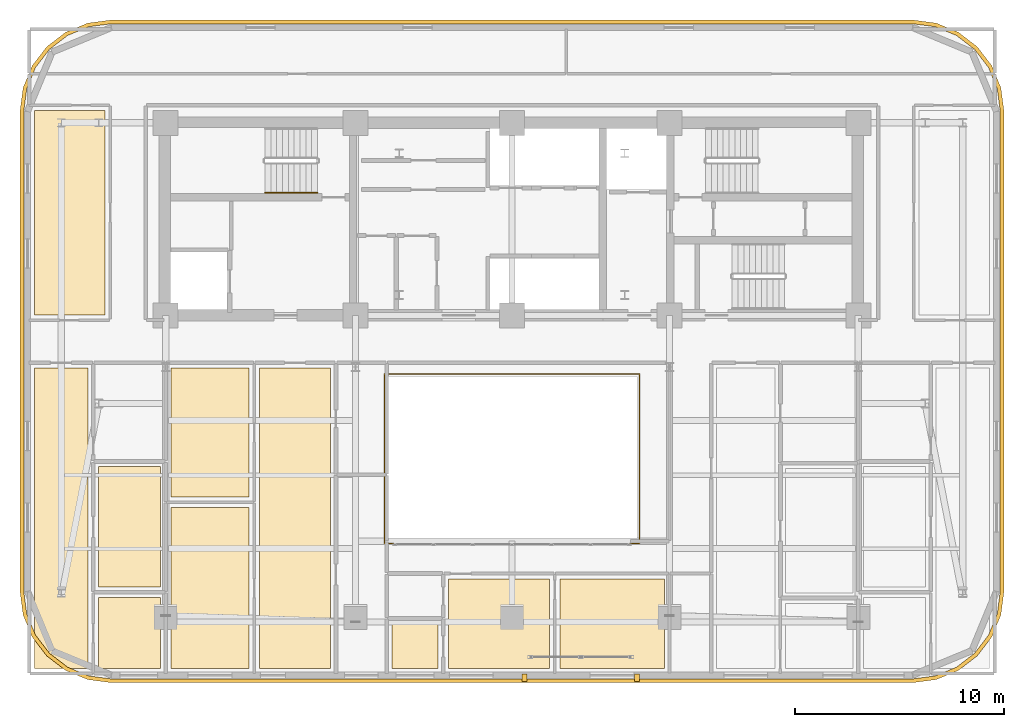
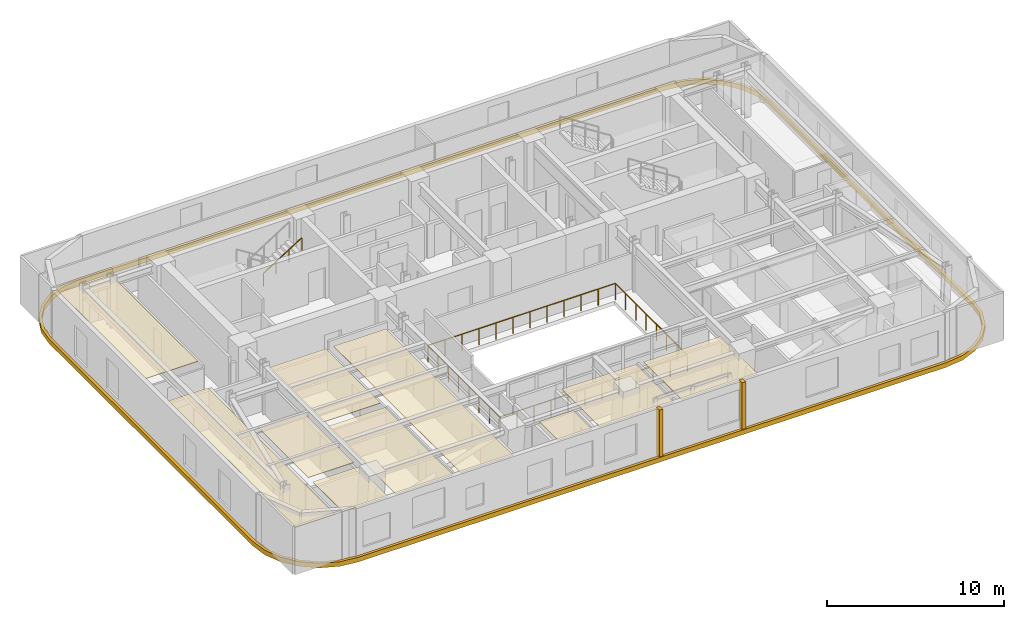
# One storey, part 11 of 13: 13 coverings, 2 railings.
"""IFC4 building model written with IfcOpenShell, lengths in metres."""

from ifc_helpers import new_model, si_unit, direction, frame, origin, origin_2d, place, context, subcontext, project, spatial, polyline, rectangle, outline, extrude, material, layer, layer_set, type_object, element, save


model = new_model("IFC4")

# Units and contexts
model_context = context("Model", 3, precision=1e-05, world=origin(), true_north=direction((0.0, 1.0)))
body_context = subcontext(model_context, "Body", "Model", "MODEL_VIEW")
ifc_project = project(units=[si_unit("LENGTHUNIT", "METRE"), si_unit("AREAUNIT", "SQUARE_METRE"), si_unit("VOLUMEUNIT", "CUBIC_METRE"), si_unit("PLANEANGLEUNIT", "RADIAN"), si_unit("MASSUNIT", "GRAM", prefix="KILO")], contexts=[model_context])

# Site, building, storey
site_placement = place(None, origin())
site = spatial("IfcSite", under=ifc_project, at=site_placement, CompositionType="ELEMENT")
building_placement = place(site_placement, origin())
building = spatial("IfcBuilding", under=site, at=building_placement, Name="Zarnavel Station Tower", CompositionType="ELEMENT")
storey_placement = place(building_placement, frame((0.0, 0.0, 141.25)))
storey = spatial("IfcBuildingStorey", under=building, at=storey_placement, Name="L38", CompositionType="ELEMENT", Elevation=141.25)

# Coverings
ifc_material_1 = material(Name="Perforated Gypsum and Mineral-Wool Acoustic Ceiling", Category="concrete")
ifc_layer = layer(ifc_material_1, 0.0400390625)
ifc_layer_set = layer_set([ifc_layer], Name="COV_CEIL_ACOUSTIC")
covering_type_1 = type_object("IfcCoveringType", Name="COV_CEIL_ACOUSTIC", PredefinedType="CEILING", material=ifc_layer_set)
covering_1_placement = place(storey_placement, frame((0.0, 0.0, 2.969970703125)))
element("IfcCovering", 1, at=covering_1_placement, inside=storey, type_object=covering_type_1, Name="L38 FNW Acoustic Ceiling", PredefinedType="CEILING", context=body_context, shape_type="SweptSolid", body=[
    extrude(outline(polyline([(5.909912109375, 27.85009765625), (9.300048828125, 27.85009765625), (9.300048828125, 37.64990234375), (5.909912109375, 37.64990234375), (5.909912109375, 27.85009765625)])), origin(), (0.0, 0.0, 1.0), 0.0400390625),
])
covering_2_placement = place(storey_placement, frame((0.0, 0.0, 2.969970703125)))
element("IfcCovering", 2, at=covering_2_placement, inside=storey, type_object=covering_type_1, Name="L38 UW1LV Acoustic Ceiling", PredefinedType="CEILING", context=body_context, shape_type="SweptSolid", body=[
    extrude(outline(polyline([(5.909912109375, 10.909912109375), (8.48388671875, 10.909912109375), (8.48388671875, 25.300048828125), (5.909912109375, 25.300048828125), (5.909912109375, 10.909912109375)])), origin(), (0.0, 0.0, 1.0), 0.0400390625),
])
covering_3_placement = place(storey_placement, frame((0.0, 0.0, 2.969970703125)))
element("IfcCovering", 3, at=covering_3_placement, inside=storey, type_object=covering_type_1, Name="L38 UW1B1 Acoustic Ceiling", PredefinedType="CEILING", context=body_context, shape_type="SweptSolid", body=[
    extrude(outline(polyline([(8.98388671875, 10.909912109375), (11.949951171875, 10.909912109375), (11.949951171875, 14.304931640625), (8.98388671875, 14.304931640625), (8.98388671875, 10.909912109375)])), origin(), (0.0, 0.0, 1.0), 0.0400390625),
])
covering_4_placement = place(storey_placement, frame((0.0, 0.0, 2.969970703125)))
element("IfcCovering", 4, at=covering_4_placement, inside=storey, type_object=covering_type_1, Name="L38 UW1KT Acoustic Ceiling", PredefinedType="CEILING", context=body_context, shape_type="SweptSolid", body=[
    extrude(outline(polyline([(8.98388671875, 14.804931640625), (11.949951171875, 14.804931640625), (11.949951171875, 20.572021484375), (8.98388671875, 20.572021484375), (8.98388671875, 14.804931640625)])), origin(), (0.0, 0.0, 1.0), 0.0400390625),
])
covering_5_placement = place(storey_placement, frame((0.0, 0.0, 2.969970703125)))
element("IfcCovering", 5, at=covering_5_placement, inside=storey, type_object=covering_type_1, Name="L38 UW2LV Acoustic Ceiling", PredefinedType="CEILING", context=body_context, shape_type="SweptSolid", body=[
    extrude(outline(polyline([(16.68994140625, 10.909912109375), (20.112060546875, 10.909912109375), (20.112060546875, 25.300048828125), (16.68994140625, 25.300048828125), (16.68994140625, 10.909912109375)])), origin(), (0.0, 0.0, 1.0), 0.0400390625),
])
covering_6_placement = place(storey_placement, frame((0.0, 0.0, 2.969970703125)))
element("IfcCovering", 6, at=covering_6_placement, inside=storey, type_object=covering_type_1, Name="L38 UW2B1 Acoustic Ceiling", PredefinedType="CEILING", context=body_context, shape_type="SweptSolid", body=[
    extrude(outline(polyline([(12.449951171875, 10.909912109375), (16.18994140625, 10.909912109375), (16.18994140625, 18.6201171875), (12.449951171875, 18.6201171875), (12.449951171875, 10.909912109375)])), origin(), (0.0, 0.0, 1.0), 0.0400390625),
])
covering_7_placement = place(storey_placement, frame((0.0, 0.0, 2.969970703125)))
element("IfcCovering", 7, at=covering_7_placement, inside=storey, type_object=covering_type_1, Name="L38 UW2B2 Acoustic Ceiling", PredefinedType="CEILING", context=body_context, shape_type="SweptSolid", body=[
    extrude(outline(polyline([(12.449951171875, 19.1201171875), (16.18994140625, 19.1201171875), (16.18994140625, 25.300048828125), (12.449951171875, 25.300048828125), (12.449951171875, 19.1201171875)])), origin(), (0.0, 0.0, 1.0), 0.0400390625),
])
covering_8_placement = place(storey_placement, frame((0.0, 0.0, 2.969970703125)))
element("IfcCovering", 8, at=covering_8_placement, inside=storey, type_object=covering_type_1, Name="L38 US1LV Acoustic Ceiling", PredefinedType="CEILING", context=body_context, shape_type="SweptSolid", body=[
    extrude(outline(polyline([(25.75, 10.909912109375), (30.60009765625, 10.909912109375), (30.60009765625, 15.199951171875), (25.75, 15.199951171875), (25.75, 10.909912109375)])), origin(), (0.0, 0.0, 1.0), 0.0400390625),
])
covering_9_placement = place(storey_placement, frame((0.0, 0.0, 2.969970703125)))
element("IfcCovering", 9, at=covering_9_placement, inside=storey, type_object=covering_type_1, Name="L38 US1KT Acoustic Ceiling", PredefinedType="CEILING", context=body_context, shape_type="SweptSolid", body=[
    extrude(outline(polyline([(23.050048828125, 10.909912109375), (25.25, 10.909912109375), (25.25, 13.050048828125), (23.050048828125, 13.050048828125), (23.050048828125, 10.909912109375)])), origin(), (0.0, 0.0, 1.0), 0.0400390625),
])
covering_10_placement = place(storey_placement, frame((0.0, 0.0, 2.969970703125)))
element("IfcCovering", 10, at=covering_10_placement, inside=storey, type_object=covering_type_1, Name="L38 US1B1 Acoustic Ceiling", PredefinedType="CEILING", context=body_context, shape_type="SweptSolid", body=[
    extrude(outline(polyline([(31.10009765625, 10.909912109375), (36.10009765625, 10.909912109375), (36.10009765625, 15.199951171875), (31.10009765625, 15.199951171875), (31.10009765625, 10.909912109375)])), origin(), (0.0, 0.0, 1.0), 0.0400390625),
])
ifc_material_2 = material(Name="Precast concrete C45/55 (Pale Travertine Slab Band)", Category="masonry")
covering_type_2 = type_object("IfcCoveringType", Name="COV_TRAVERTINE_BAND", PredefinedType="CLADDING", material=ifc_material_2)
covering_11_placement = place(storey_placement, frame((0.0, 0.0, -0.260009765625)))
element("IfcCovering", 11, at=covering_11_placement, inside=storey, type_object=covering_type_2, Name="L38 Pale Travertine Slab-Edge Band", PredefinedType="CLADDING", context=body_context, shape_type="SweptSolid", body=[
    extrude(outline(polyline([(48.0, 10.219970703125), (49.133544921875, 10.369140625), (50.18994140625, 10.806884765625), (51.09716796875, 11.5029296875), (51.793212890625, 12.409912109375), (52.230712890625, 13.46630859375), (52.3798828125, 14.60009765625), (52.3798828125, 37.60009765625), (52.230712890625, 38.733642578125), (51.793212890625, 39.7900390625), (51.09716796875, 40.697021484375), (50.18994140625, 41.393310546875), (49.133544921875, 41.830810546875), (48.0, 41.97998046875), (9.60009765625, 41.97998046875), (8.46630859375, 41.830810546875), (7.409912109375, 41.393310546875), (6.5029296875, 40.697021484375), (5.806884765625, 39.7900390625), (5.369140625, 38.733642578125), (5.219970703125, 37.60009765625), (5.219970703125, 14.60009765625), (5.369140625, 13.46630859375), (5.806884765625, 12.409912109375), (6.5029296875, 11.5029296875), (7.409912109375, 10.806884765625), (8.46630859375, 10.369140625), (9.60009765625, 10.219970703125), (48.0, 10.219970703125)]), holes=[polyline([(48.0, 10.39990234375), (49.0869140625, 10.543212890625), (50.10009765625, 10.962646484375), (50.9697265625, 11.630126953125), (51.63720703125, 12.5), (52.056884765625, 13.512939453125), (52.199951171875, 14.60009765625), (52.199951171875, 37.60009765625), (52.056884765625, 38.68701171875), (51.63720703125, 39.699951171875), (50.9697265625, 40.56982421875), (50.10009765625, 41.2373046875), (49.0869140625, 41.656982421875), (48.0, 41.800048828125), (9.60009765625, 41.800048828125), (8.512939453125, 41.656982421875), (7.5, 41.2373046875), (6.630126953125, 40.56982421875), (5.962646484375, 39.699951171875), (5.543212890625, 38.68701171875), (5.39990234375, 37.60009765625), (5.39990234375, 14.60009765625), (5.543212890625, 13.512939453125), (5.962646484375, 12.5), (6.630126953125, 11.630126953125), (7.5, 10.962646484375), (8.512939453125, 10.543212890625), (9.60009765625, 10.39990234375), (48.0, 10.39990234375)])]), origin(), (0.0, 0.0, 1.0), 0.320068359375),
])
for number, where, z_axis, x_axis, name in (
    (12, (29.39990234375, 10.449951171875, 0.0), (0.0, 0.0, 1.0), (1.0, 0.0, 0.0), "L38 Travertine Portal Loggia Vertical Jog West"),
    (13, (34.800048828125, 10.449951171875, 0.0), (0.0, 0.0, 1.0), (1.0, 0.0, 0.0), "L38 Travertine Portal Loggia Vertical Jog East"),
):
    element("IfcCovering", number, at=place(storey_placement, frame(where, z_axis=z_axis, x_axis=x_axis)), inside=storey, type_object=covering_type_2, Name=name, PredefinedType="CLADDING", context=body_context, shape_type="SweptSolid", body=[
        extrude(rectangle(XDim=0.239990234375, YDim=0.360107421875, at=origin_2d()), origin(), (0.0, 0.0, 1.0), 3.2900390625),
    ])

# Railings
ifc_material_3 = material(Name="Painted Steel S355J2 Balustrade", Category="steel")
railing_type_1 = type_object("IfcRailingType", Name="GR_INT_1150", PredefinedType="GUARDRAIL", material=ifc_material_3)
railing_1_placement = place(storey_placement, frame((22.679931640625, 16.8798828125, 0.0)))
element("IfcRailing", 14, at=railing_1_placement, inside=storey, type_object=railing_type_1, Name="L38 Atrium Void Guardrail", PredefinedType="GUARDRAIL", context=body_context, shape_type="SweptSolid", body=[
    extrude(rectangle(XDim=0.048095703125, YDim=0.048095703125, at=origin_2d()), frame((0.001953125, 0.0, 1.1259765625), z_axis=(1.0, 0.0, 0.0), x_axis=(0.0, 1.0, 0.0)), (0.0, 0.0, 1.0), 12.236083984375),
    extrude(rectangle(XDim=0.048095703125, YDim=0.048095703125, at=origin_2d()), frame((12.239990234375, 0.001953125, 1.1259765625), z_axis=(0.0, 1.0, 0.0), x_axis=(-1.0, 0.0, 0.0)), (0.0, 0.0, 1.0), 8.13623046875),
    extrude(rectangle(XDim=0.048095703125, YDim=0.048095703125, at=origin_2d()), frame((12.238037109375, 8.14013671875, 1.1259765625), z_axis=(-1.0, 0.0, 0.0), x_axis=(0.0, -1.0, 0.0)), (0.0, 0.0, 1.0), 12.236083984375),
    extrude(rectangle(XDim=0.048095703125, YDim=0.048095703125, at=origin_2d()), frame((0.0, 8.13818359375, 1.1259765625), z_axis=(0.0, -1.0, 0.0), x_axis=(1.0, 0.0, 0.0)), (0.0, 0.0, 1.0), 8.13623046875),
    extrude(rectangle(XDim=0.0419921875, YDim=0.0419921875, at=origin_2d()), origin(), (0.0, 0.0, 1.0), 1.101806640625),
    extrude(rectangle(XDim=0.0419921875, YDim=0.0419921875, at=origin_2d()), frame((1.11279296875, 0.0, 0.0)), (0.0, 0.0, 1.0), 1.101806640625),
    extrude(rectangle(XDim=0.0419921875, YDim=0.0419921875, at=origin_2d()), frame((2.225341796875, 0.0, 0.0)), (0.0, 0.0, 1.0), 1.101806640625),
    extrude(rectangle(XDim=0.0419921875, YDim=0.0419921875, at=origin_2d()), frame((3.338134765625, 0.0, 0.0)), (0.0, 0.0, 1.0), 1.101806640625),
    extrude(rectangle(XDim=0.0419921875, YDim=0.0419921875, at=origin_2d()), frame((4.450927734375, 0.0, 0.0)), (0.0, 0.0, 1.0), 1.101806640625),
    extrude(rectangle(XDim=0.0419921875, YDim=0.0419921875, at=origin_2d()), frame((5.563720703125, 0.0, 0.0)), (0.0, 0.0, 1.0), 1.101806640625),
    extrude(rectangle(XDim=0.0419921875, YDim=0.0419921875, at=origin_2d()), frame((6.67626953125, 0.0, 0.0)), (0.0, 0.0, 1.0), 1.101806640625),
    extrude(rectangle(XDim=0.0419921875, YDim=0.0419921875, at=origin_2d()), frame((7.7890625, 0.0, 0.0)), (0.0, 0.0, 1.0), 1.101806640625),
    extrude(rectangle(XDim=0.0419921875, YDim=0.0419921875, at=origin_2d()), frame((8.90185546875, 0.0, 0.0)), (0.0, 0.0, 1.0), 1.101806640625),
    extrude(rectangle(XDim=0.0419921875, YDim=0.0419921875, at=origin_2d()), frame((10.0146484375, 0.0, 0.0)), (0.0, 0.0, 1.0), 1.101806640625),
    extrude(rectangle(XDim=0.0419921875, YDim=0.0419921875, at=origin_2d()), frame((11.127197265625, 0.0, 0.0)), (0.0, 0.0, 1.0), 1.101806640625),
    extrude(rectangle(XDim=0.0419921875, YDim=0.0419921875, at=origin_2d()), frame((12.239990234375, 0.0, 0.0)), (0.0, 0.0, 1.0), 1.101806640625),
    extrude(rectangle(XDim=0.0419921875, YDim=0.0419921875, at=origin_2d()), frame((12.239990234375, 1.162841796875, 0.0)), (0.0, 0.0, 1.0), 1.101806640625),
    extrude(rectangle(XDim=0.0419921875, YDim=0.0419921875, at=origin_2d()), frame((12.239990234375, 2.32568359375, 0.0)), (0.0, 0.0, 1.0), 1.101806640625),
    extrude(rectangle(XDim=0.0419921875, YDim=0.0419921875, at=origin_2d()), frame((12.239990234375, 3.488525390625, 0.0)), (0.0, 0.0, 1.0), 1.101806640625),
    extrude(rectangle(XDim=0.0419921875, YDim=0.0419921875, at=origin_2d()), frame((12.239990234375, 4.651611328125, 0.0)), (0.0, 0.0, 1.0), 1.101806640625),
    extrude(rectangle(XDim=0.0419921875, YDim=0.0419921875, at=origin_2d()), frame((12.239990234375, 5.814453125, 0.0)), (0.0, 0.0, 1.0), 1.101806640625),
    extrude(rectangle(XDim=0.0419921875, YDim=0.0419921875, at=origin_2d()), frame((12.239990234375, 6.977294921875, 0.0)), (0.0, 0.0, 1.0), 1.101806640625),
    extrude(rectangle(XDim=0.0419921875, YDim=0.0419921875, at=origin_2d()), frame((12.239990234375, 8.14013671875, 0.0)), (0.0, 0.0, 1.0), 1.101806640625),
    extrude(rectangle(XDim=0.0419921875, YDim=0.0419921875, at=origin_2d()), frame((11.127197265625, 8.14013671875, 0.0)), (0.0, 0.0, 1.0), 1.101806640625),
    extrude(rectangle(XDim=0.0419921875, YDim=0.0419921875, at=origin_2d()), frame((10.0146484375, 8.14013671875, 0.0)), (0.0, 0.0, 1.0), 1.101806640625),
    extrude(rectangle(XDim=0.0419921875, YDim=0.0419921875, at=origin_2d()), frame((8.90185546875, 8.14013671875, 0.0)), (0.0, 0.0, 1.0), 1.101806640625),
    extrude(rectangle(XDim=0.0419921875, YDim=0.0419921875, at=origin_2d()), frame((7.7890625, 8.14013671875, 0.0)), (0.0, 0.0, 1.0), 1.101806640625),
    extrude(rectangle(XDim=0.0419921875, YDim=0.0419921875, at=origin_2d()), frame((6.67626953125, 8.14013671875, 0.0)), (0.0, 0.0, 1.0), 1.101806640625),
    extrude(rectangle(XDim=0.0419921875, YDim=0.0419921875, at=origin_2d()), frame((5.563720703125, 8.14013671875, 0.0)), (0.0, 0.0, 1.0), 1.101806640625),
    extrude(rectangle(XDim=0.0419921875, YDim=0.0419921875, at=origin_2d()), frame((4.450927734375, 8.14013671875, 0.0)), (0.0, 0.0, 1.0), 1.101806640625),
    extrude(rectangle(XDim=0.0419921875, YDim=0.0419921875, at=origin_2d()), frame((3.338134765625, 8.14013671875, 0.0)), (0.0, 0.0, 1.0), 1.101806640625),
    extrude(rectangle(XDim=0.0419921875, YDim=0.0419921875, at=origin_2d()), frame((2.225341796875, 8.14013671875, 0.0)), (0.0, 0.0, 1.0), 1.101806640625),
    extrude(rectangle(XDim=0.0419921875, YDim=0.0419921875, at=origin_2d()), frame((1.11279296875, 8.14013671875, 0.0)), (0.0, 0.0, 1.0), 1.101806640625),
    extrude(rectangle(XDim=0.0419921875, YDim=0.0419921875, at=origin_2d()), frame((0.0, 8.14013671875, 0.0)), (0.0, 0.0, 1.0), 1.101806640625),
    extrude(rectangle(XDim=0.0419921875, YDim=0.0419921875, at=origin_2d()), frame((0.0, 6.977294921875, 0.0)), (0.0, 0.0, 1.0), 1.101806640625),
    extrude(rectangle(XDim=0.0419921875, YDim=0.0419921875, at=origin_2d()), frame((0.0, 5.814453125, 0.0)), (0.0, 0.0, 1.0), 1.101806640625),
    extrude(rectangle(XDim=0.0419921875, YDim=0.0419921875, at=origin_2d()), frame((0.0, 4.651611328125, 0.0)), (0.0, 0.0, 1.0), 1.101806640625),
    extrude(rectangle(XDim=0.0419921875, YDim=0.0419921875, at=origin_2d()), frame((0.0, 3.488525390625, 0.0)), (0.0, 0.0, 1.0), 1.101806640625),
    extrude(rectangle(XDim=0.0419921875, YDim=0.0419921875, at=origin_2d()), frame((0.0, 2.32568359375, 0.0)), (0.0, 0.0, 1.0), 1.101806640625),
    extrude(rectangle(XDim=0.0419921875, YDim=0.0419921875, at=origin_2d()), frame((0.0, 1.162841796875, 0.0)), (0.0, 0.0, 1.0), 1.101806640625),
])
ifc_material_4 = material(Name="Brushed Stainless Steel S355J2 Handrail", Category="steel")
railing_type_2 = type_object("IfcRailingType", Name="HR_STAIR_900", PredefinedType="HANDRAIL", material=ifc_material_4)
railing_2_placement = place(storey_placement, frame((16.9599609375, 33.7099609375, 1.952392578125)))
element("IfcRailing", 15, at=railing_2_placement, inside=storey, type_object=railing_type_2, Name="L38 ST1 stair handrail 2", PredefinedType="HANDRAIL", context=body_context, shape_type="SweptSolid", body=[
    extrude(rectangle(XDim=0.048095703125, YDim=0.048095703125, at=origin_2d()), frame((0.001708984375, 0.0, 0.876953125), z_axis=(0.84456994832, 0.0, 0.535445237532), x_axis=(0.0, 1.0, 0.0)), (0.0, 0.0, 1.0), 2.979736328125),
    extrude(rectangle(XDim=0.0419921875, YDim=0.0419921875, at=origin_2d()), origin(), (0.0, 0.0, 1.0), 0.851806640625),
    extrude(rectangle(XDim=0.0419921875, YDim=0.0419921875, at=origin_2d()), frame((0.840087890625, 0.0, 0.532470703125)), (0.0, 0.0, 1.0), 0.851806640625),
    extrude(rectangle(XDim=0.0419921875, YDim=0.0419921875, at=origin_2d()), frame((1.679931640625, 0.0, 1.065185546875)), (0.0, 0.0, 1.0), 0.851806640625),
    extrude(rectangle(XDim=0.0419921875, YDim=0.0419921875, at=origin_2d()), frame((2.52001953125, 0.0, 1.59765625)), (0.0, 0.0, 1.0), 0.851806640625),
])

save(model, "model.ifc")
